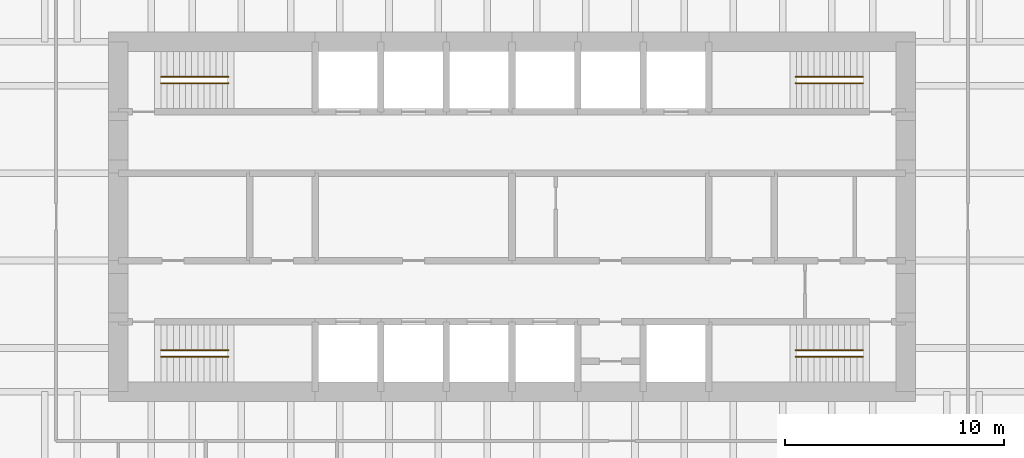
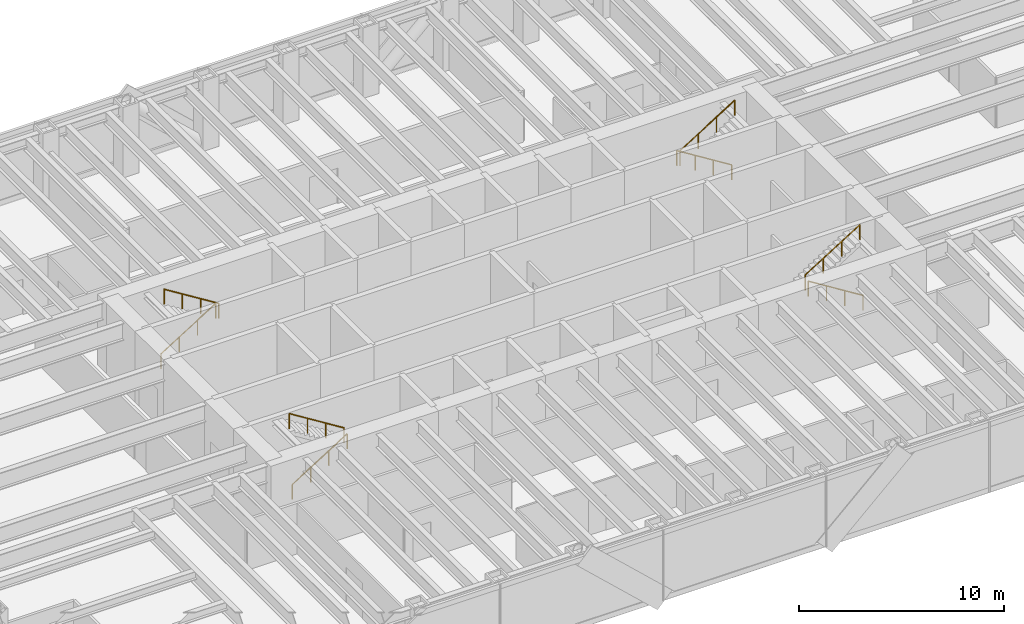
# One storey, part 17 of 17: 8 railings.
"""IFC4 building model written with IfcOpenShell, lengths in metres."""

from ifc_helpers import new_model, si_unit, direction, frame, origin, origin_2d, place, context, subcontext, project, spatial, circle, extrude, material, type_object, element, save


model = new_model("IFC4")

# Units and contexts
model_context = context("Model", 3, precision=1e-05, world=origin(), true_north=direction((0.0, 1.0)))
body_context = subcontext(model_context, "Body", "Model", "MODEL_VIEW")
ifc_project = project(units=[si_unit("LENGTHUNIT", "METRE"), si_unit("AREAUNIT", "SQUARE_METRE"), si_unit("VOLUMEUNIT", "CUBIC_METRE"), si_unit("PLANEANGLEUNIT", "RADIAN"), si_unit("MASSUNIT", "GRAM", prefix="KILO")], contexts=[model_context])

# Site, building, storey
site_placement = place(None, origin())
site = spatial("IfcSite", under=ifc_project, at=site_placement, CompositionType="ELEMENT")
building_placement = place(site_placement, origin())
building = spatial("IfcBuilding", under=site, at=building_placement, Name="Rheinbord Bourse Tower", CompositionType="ELEMENT")
storey_placement = place(building_placement, frame((0.0, 0.0, 129.89990234375)))
storey = spatial("IfcBuildingStorey", under=building, at=storey_placement, Name="L28", CompositionType="ELEMENT", Elevation=129.89990234375)

# Railings
ifc_material = material(Name="Steel handrail", Category="steel")
railing_type = type_object("IfcRailingType", Name="HANDRAIL 900", PredefinedType="HANDRAIL", material=ifc_material)
railing_1_placement = place(storey_placement, frame((19.949951171875, 17.60009765625, 0.175048828125)))
element("IfcRailing", 1, at=railing_1_placement, inside=storey, type_object=railing_type, Name="Handrail", PredefinedType="HANDRAIL", context=body_context, shape_type="SweptSolid", body=[
    extrude(circle(Radius=0.02392578125, at=origin_2d()), frame((0.0, 0.0, 0.8759765625), z_axis=(0.847998304005, 0.0, 0.529998940003), x_axis=(0.0, 1.0, 0.0)), (0.0, 0.0, 1.0), 3.632080078125),
    extrude(circle(Radius=0.02099609375, at=origin_2d()), origin(), (0.0, 0.0, 1.0), 0.851806640625),
    extrude(circle(Radius=0.02099609375, at=origin_2d()), frame((1.026611328125, 0.0, 0.6416015625)), (0.0, 0.0, 1.0), 0.851806640625),
    extrude(circle(Radius=0.02099609375, at=origin_2d()), frame((2.053466796875, 0.0, 1.283447265625)), (0.0, 0.0, 1.0), 0.851806640625),
    extrude(circle(Radius=0.02099609375, at=origin_2d()), frame((3.080078125, 0.0, 1.925048828125)), (0.0, 0.0, 1.0), 0.851806640625),
])
railing_2_placement = place(storey_placement, frame((23.030029296875, 17.89990234375, 2.275146484375)))
element("IfcRailing", 2, at=railing_2_placement, inside=storey, type_object=railing_type, Name="Handrail", PredefinedType="HANDRAIL", context=body_context, shape_type="SweptSolid", body=[
    extrude(circle(Radius=0.02392578125, at=origin_2d()), frame((0.0, 0.0, 0.8759765625), z_axis=(-0.847998304005, 0.0, 0.529998940003), x_axis=(0.0, -1.0, 0.0)), (0.0, 0.0, 1.0), 3.632080078125),
    extrude(circle(Radius=0.02099609375, at=origin_2d()), origin(), (0.0, 0.0, 1.0), 0.851806640625),
    extrude(circle(Radius=0.02099609375, at=origin_2d()), frame((-1.026611328125, 0.0, 0.6416015625)), (0.0, 0.0, 1.0), 0.851806640625),
    extrude(circle(Radius=0.02099609375, at=origin_2d()), frame((-2.053466796875, 0.0, 1.283447265625)), (0.0, 0.0, 1.0), 0.851806640625),
    extrude(circle(Radius=0.02099609375, at=origin_2d()), frame((-3.080078125, 0.0, 1.925048828125)), (0.0, 0.0, 1.0), 0.851806640625),
])
railing_3_placement = place(storey_placement, frame((19.949951171875, 30.39990234375, 0.175048828125)))
element("IfcRailing", 3, at=railing_3_placement, inside=storey, type_object=railing_type, Name="Handrail", PredefinedType="HANDRAIL", context=body_context, shape_type="SweptSolid", body=[
    extrude(circle(Radius=0.02392578125, at=origin_2d()), frame((0.0, 0.0, 0.8759765625), z_axis=(0.847998304005, 0.0, 0.529998940003), x_axis=(0.0, 1.0, 0.0)), (0.0, 0.0, 1.0), 3.632080078125),
    extrude(circle(Radius=0.02099609375, at=origin_2d()), origin(), (0.0, 0.0, 1.0), 0.851806640625),
    extrude(circle(Radius=0.02099609375, at=origin_2d()), frame((1.026611328125, 0.0, 0.6416015625)), (0.0, 0.0, 1.0), 0.851806640625),
    extrude(circle(Radius=0.02099609375, at=origin_2d()), frame((2.053466796875, 0.0, 1.283447265625)), (0.0, 0.0, 1.0), 0.851806640625),
    extrude(circle(Radius=0.02099609375, at=origin_2d()), frame((3.080078125, 0.0, 1.925048828125)), (0.0, 0.0, 1.0), 0.851806640625),
])
for number, where, name in (
    (4, (23.030029296875, 30.10009765625, 2.275146484375), "Handrail"),
    (5, (52.050048828125, 17.60009765625, 0.175048828125), "Handrail"),
):
    element("IfcRailing", number, at=place(storey_placement, frame(where)), inside=storey, type_object=railing_type, Name=name, PredefinedType="HANDRAIL", context=body_context, shape_type="SweptSolid", body=[
        extrude(circle(Radius=0.02392578125, at=origin_2d()), frame((0.0, 0.0, 0.8759765625), z_axis=(-0.847998304005, 0.0, 0.529998940003), x_axis=(0.0, -1.0, 0.0)), (0.0, 0.0, 1.0), 3.632080078125),
        extrude(circle(Radius=0.02099609375, at=origin_2d()), origin(), (0.0, 0.0, 1.0), 0.851806640625),
        extrude(circle(Radius=0.02099609375, at=origin_2d()), frame((-1.026611328125, 0.0, 0.6416015625)), (0.0, 0.0, 1.0), 0.851806640625),
        extrude(circle(Radius=0.02099609375, at=origin_2d()), frame((-2.053466796875, 0.0, 1.283447265625)), (0.0, 0.0, 1.0), 0.851806640625),
        extrude(circle(Radius=0.02099609375, at=origin_2d()), frame((-3.080078125, 0.0, 1.925048828125)), (0.0, 0.0, 1.0), 0.851806640625),
    ])
railing_4_placement = place(storey_placement, frame((48.969970703125, 17.89990234375, 2.275146484375)))
element("IfcRailing", 6, at=railing_4_placement, inside=storey, type_object=railing_type, Name="Handrail", PredefinedType="HANDRAIL", context=body_context, shape_type="SweptSolid", body=[
    extrude(circle(Radius=0.02392578125, at=origin_2d()), frame((0.0, 0.0, 0.8759765625), z_axis=(0.847998304005, 0.0, 0.529998940003), x_axis=(0.0, 1.0, 0.0)), (0.0, 0.0, 1.0), 3.632080078125),
    extrude(circle(Radius=0.02099609375, at=origin_2d()), origin(), (0.0, 0.0, 1.0), 0.851806640625),
    extrude(circle(Radius=0.02099609375, at=origin_2d()), frame((1.026611328125, 0.0, 0.6416015625)), (0.0, 0.0, 1.0), 0.851806640625),
    extrude(circle(Radius=0.02099609375, at=origin_2d()), frame((2.053466796875, 0.0, 1.283447265625)), (0.0, 0.0, 1.0), 0.851806640625),
    extrude(circle(Radius=0.02099609375, at=origin_2d()), frame((3.080078125, 0.0, 1.925048828125)), (0.0, 0.0, 1.0), 0.851806640625),
])
railing_5_placement = place(storey_placement, frame((52.050048828125, 30.39990234375, 0.175048828125)))
element("IfcRailing", 7, at=railing_5_placement, inside=storey, type_object=railing_type, Name="Handrail", PredefinedType="HANDRAIL", context=body_context, shape_type="SweptSolid", body=[
    extrude(circle(Radius=0.02392578125, at=origin_2d()), frame((0.0, 0.0, 0.8759765625), z_axis=(-0.847998304005, 0.0, 0.529998940003), x_axis=(0.0, -1.0, 0.0)), (0.0, 0.0, 1.0), 3.632080078125),
    extrude(circle(Radius=0.02099609375, at=origin_2d()), origin(), (0.0, 0.0, 1.0), 0.851806640625),
    extrude(circle(Radius=0.02099609375, at=origin_2d()), frame((-1.026611328125, 0.0, 0.6416015625)), (0.0, 0.0, 1.0), 0.851806640625),
    extrude(circle(Radius=0.02099609375, at=origin_2d()), frame((-2.053466796875, 0.0, 1.283447265625)), (0.0, 0.0, 1.0), 0.851806640625),
    extrude(circle(Radius=0.02099609375, at=origin_2d()), frame((-3.080078125, 0.0, 1.925048828125)), (0.0, 0.0, 1.0), 0.851806640625),
])
railing_6_placement = place(storey_placement, frame((48.969970703125, 30.10009765625, 2.275146484375)))
element("IfcRailing", 8, at=railing_6_placement, inside=storey, type_object=railing_type, Name="Handrail", PredefinedType="HANDRAIL", context=body_context, shape_type="SweptSolid", body=[
    extrude(circle(Radius=0.02392578125, at=origin_2d()), frame((0.0, 0.0, 0.8759765625), z_axis=(0.847998304005, 0.0, 0.529998940003), x_axis=(0.0, 1.0, 0.0)), (0.0, 0.0, 1.0), 3.632080078125),
    extrude(circle(Radius=0.02099609375, at=origin_2d()), origin(), (0.0, 0.0, 1.0), 0.851806640625),
    extrude(circle(Radius=0.02099609375, at=origin_2d()), frame((1.026611328125, 0.0, 0.6416015625)), (0.0, 0.0, 1.0), 0.851806640625),
    extrude(circle(Radius=0.02099609375, at=origin_2d()), frame((2.053466796875, 0.0, 1.283447265625)), (0.0, 0.0, 1.0), 0.851806640625),
    extrude(circle(Radius=0.02099609375, at=origin_2d()), frame((3.080078125, 0.0, 1.925048828125)), (0.0, 0.0, 1.0), 0.851806640625),
])

save(model, "model.ifc")
